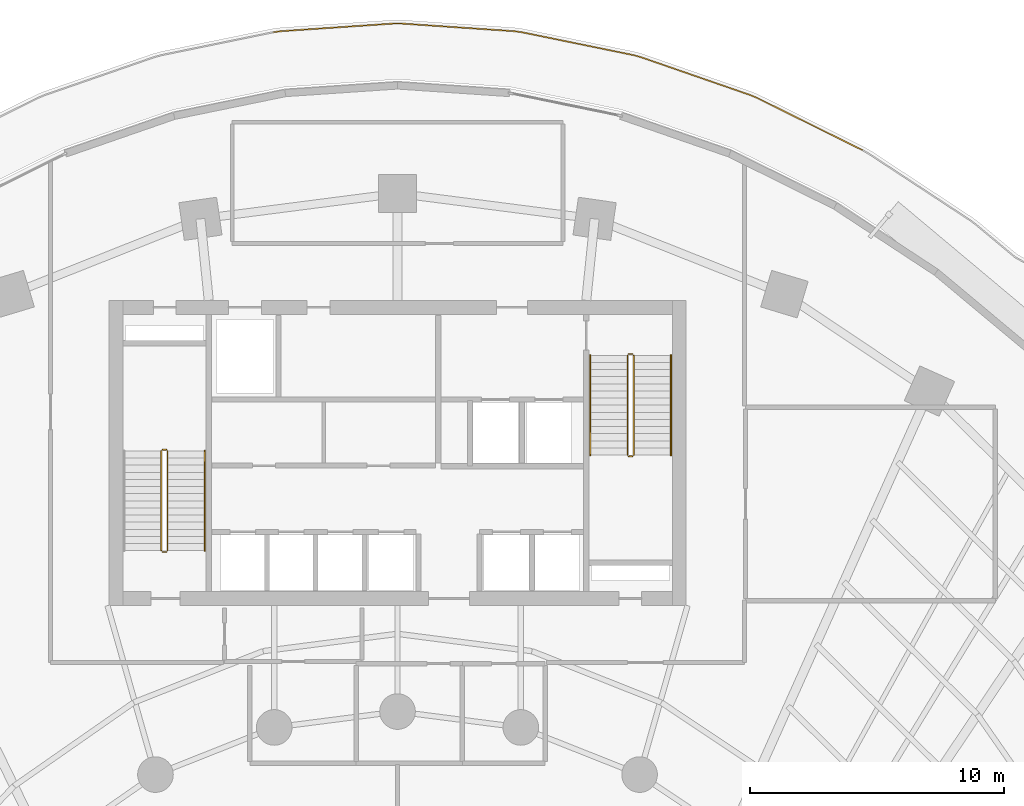
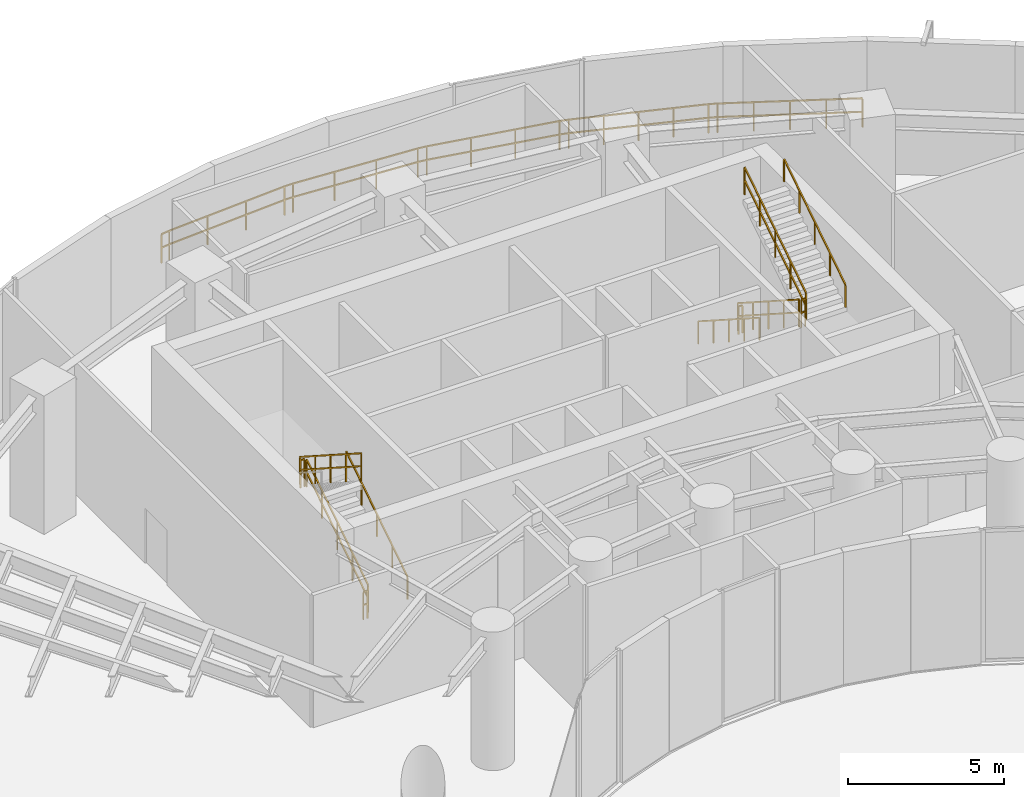
# One storey, part 16 of 17: 12 railings.
"""IFC4 building model written with IfcOpenShell, lengths in metres."""

from ifc_helpers import new_model, si_unit, direction, frame, origin, origin_2d, place, context, subcontext, project, spatial, rectangle, extrude, material, type_object, element, save


model = new_model("IFC4")

# Units and contexts
model_context = context("Model", 3, precision=1e-05, world=origin(), true_north=direction((0.0, 1.0)))
body_context = subcontext(model_context, "Body", "Model", "MODEL_VIEW")
ifc_project = project(units=[si_unit("LENGTHUNIT", "METRE"), si_unit("AREAUNIT", "SQUARE_METRE"), si_unit("VOLUMEUNIT", "CUBIC_METRE"), si_unit("PLANEANGLEUNIT", "RADIAN"), si_unit("MASSUNIT", "GRAM", prefix="KILO")], contexts=[model_context])

# Site, building, storey
site_placement = place(None, origin())
site = spatial("IfcSite", under=ifc_project, at=site_placement, CompositionType="ELEMENT")
building_placement = place(site_placement, origin())
building = spatial("IfcBuilding", under=site, at=building_placement, Name="Breltana Convention Tower", CompositionType="ELEMENT")
storey_placement = place(building_placement, frame((0.0, 0.0, 30.0)))
storey = spatial("IfcBuildingStorey", under=building, at=storey_placement, Name="L05", CompositionType="ELEMENT", Elevation=30.0)

# Railings
ifc_material_1 = material(Name="Stainless Steel 316L", Category="steel")
railing_type_1 = type_object("IfcRailingType", Name="RL-BALUSTRADE-1150", PredefinedType="BALUSTRADE", material=ifc_material_1)
railing_1_placement = place(storey_placement, frame((43.10498046875, 82.73779296875, 0.0)))
element("IfcRailing", 1, at=railing_1_placement, inside=storey, type_object=railing_type_1, Name="L05 perimeter balustrade 6", PredefinedType="BALUSTRADE", context=body_context, shape_type="SweptSolid", body=[
    extrude(rectangle(XDim=0.048095703125, YDim=0.048095703125, at=origin_2d()), frame((0.0, 0.0, 1.1259765625), z_axis=(0.990863345955, 0.134869676515, 0.0), x_axis=(-0.134869676515, 0.990863345955, 0.0)), (0.0, 0.0, 1.0), 0.313232421875),
    extrude(rectangle(XDim=0.048095703125, YDim=0.048095703125, at=origin_2d()), frame((0.0, 0.0, 0.597900390625), z_axis=(0.990863345955, 0.134869676515, 0.0), x_axis=(-0.134869676515, 0.990863345955, 0.0)), (0.0, 0.0, 1.0), 0.313232421875),
    extrude(rectangle(XDim=0.048095703125, YDim=0.048095703125, at=origin_2d()), frame((0.310302734375, 0.042236328125, 1.1259765625), z_axis=(0.997703593303, 0.067731380541, 0.0), x_axis=(-0.067731380541, 0.997703593303, 0.0)), (0.0, 0.0, 1.0), 4.437255859375),
    extrude(rectangle(XDim=0.048095703125, YDim=0.048095703125, at=origin_2d()), frame((0.310302734375, 0.042236328125, 0.597900390625), z_axis=(0.997703593303, 0.067731380541, 0.0), x_axis=(-0.067731380541, 0.997703593303, 0.0)), (0.0, 0.0, 1.0), 4.437255859375),
    extrude(rectangle(XDim=0.048095703125, YDim=0.048095703125, at=origin_2d()), frame((4.7373046875, 0.3427734375, 1.1259765625), z_axis=(1.0, 0.0, 0.0), x_axis=(0.0, 1.0, 0.0)), (0.0, 0.0, 1.0), 0.3154296875),
    extrude(rectangle(XDim=0.048095703125, YDim=0.048095703125, at=origin_2d()), frame((4.7373046875, 0.3427734375, 0.597900390625), z_axis=(1.0, 0.0, 0.0), x_axis=(0.0, 1.0, 0.0)), (0.0, 0.0, 1.0), 0.3154296875),
    extrude(rectangle(XDim=0.048095703125, YDim=0.048095703125, at=origin_2d()), frame((5.052734375, 0.3427734375, 1.1259765625), z_axis=(0.997703593303, -0.067731380541, 0.0), x_axis=(0.067731380541, 0.997703593303, 0.0)), (0.0, 0.0, 1.0), 4.437255859375),
    extrude(rectangle(XDim=0.048095703125, YDim=0.048095703125, at=origin_2d()), frame((5.052734375, 0.3427734375, 0.597900390625), z_axis=(0.997703593303, -0.067731380541, 0.0), x_axis=(0.067731380541, 0.997703593303, 0.0)), (0.0, 0.0, 1.0), 4.437255859375),
    extrude(rectangle(XDim=0.048095703125, YDim=0.048095703125, at=origin_2d()), frame((9.479736328125, 0.042236328125, 1.1259765625), z_axis=(0.990863345955, -0.134869676515, 0.0), x_axis=(0.134869676515, 0.990863345955, 0.0)), (0.0, 0.0, 1.0), 0.313232421875),
    extrude(rectangle(XDim=0.048095703125, YDim=0.048095703125, at=origin_2d()), frame((9.479736328125, 0.042236328125, 0.597900390625), z_axis=(0.990863345955, -0.134869676515, 0.0), x_axis=(0.134869676515, 0.990863345955, 0.0)), (0.0, 0.0, 1.0), 0.313232421875),
    extrude(rectangle(XDim=0.048095703125, YDim=0.048095703125, at=origin_2d()), frame((9.7900390625, 0.0, 1.1259765625), z_axis=(0.979620328093, -0.200858190739, 0.0), x_axis=(0.200858190739, 0.979620328093, 0.0)), (0.0, 0.0, 1.0), 4.472900390625),
    extrude(rectangle(XDim=0.048095703125, YDim=0.048095703125, at=origin_2d()), frame((9.7900390625, 0.0, 0.597900390625), z_axis=(0.979620328093, -0.200858190739, 0.0), x_axis=(0.200858190739, 0.979620328093, 0.0)), (0.0, 0.0, 1.0), 4.472900390625),
    extrude(rectangle(XDim=0.048095703125, YDim=0.048095703125, at=origin_2d()), frame((14.171875, -0.8984375, 1.1259765625), z_axis=(0.964246196663, -0.265008060672, 0.0), x_axis=(0.265008060672, 0.964246196663, 0.0)), (0.0, 0.0, 1.0), 0.305908203125),
    extrude(rectangle(XDim=0.048095703125, YDim=0.048095703125, at=origin_2d()), frame((14.171875, -0.8984375, 0.597900390625), z_axis=(0.964246196663, -0.265008060672, 0.0), x_axis=(0.265008060672, 0.964246196663, 0.0)), (0.0, 0.0, 1.0), 0.305908203125),
    extrude(rectangle(XDim=0.048095703125, YDim=0.048095703125, at=origin_2d()), frame((14.466796875, -0.9794921875, 1.1259765625), z_axis=(0.94487611165, -0.327428058713, 0.0), x_axis=(0.327428058713, 0.94487611165, 0.0)), (0.0, 0.0, 1.0), 4.54248046875),
    extrude(rectangle(XDim=0.048095703125, YDim=0.048095703125, at=origin_2d()), frame((14.466796875, -0.9794921875, 0.597900390625), z_axis=(0.94487611165, -0.327428058713, 0.0), x_axis=(0.327428058713, 0.94487611165, 0.0)), (0.0, 0.0, 1.0), 4.54248046875),
    extrude(rectangle(XDim=0.048095703125, YDim=0.048095703125, at=origin_2d()), frame((18.7587890625, -2.466796875, 1.1259765625), z_axis=(0.922118112773, -0.386908498351, 0.0), x_axis=(0.386908498351, 0.922118112773, 0.0)), (0.0, 0.0, 1.0), 0.294677734375),
    extrude(rectangle(XDim=0.048095703125, YDim=0.048095703125, at=origin_2d()), frame((18.7587890625, -2.466796875, 0.597900390625), z_axis=(0.922118112773, -0.386908498351, 0.0), x_axis=(0.386908498351, 0.922118112773, 0.0)), (0.0, 0.0, 1.0), 0.294677734375),
    extrude(rectangle(XDim=0.048095703125, YDim=0.048095703125, at=origin_2d()), frame((19.030517578125, -2.580810546875, 1.1259765625), z_axis=(0.895968339256, -0.444117929216, 0.0), x_axis=(0.444117929216, 0.895968339256, 0.0)), (0.0, 0.0, 1.0), 4.641357421875),
    extrude(rectangle(XDim=0.048095703125, YDim=0.048095703125, at=origin_2d()), frame((19.030517578125, -2.580810546875, 0.597900390625), z_axis=(0.895968339256, -0.444117929216, 0.0), x_axis=(0.444117929216, 0.895968339256, 0.0)), (0.0, 0.0, 1.0), 4.641357421875),
    extrude(rectangle(XDim=0.0419921875, YDim=0.0419921875, at=origin_2d()), origin(), (0.0, 0.0, 1.0), 1.101806640625),
    extrude(rectangle(XDim=0.0419921875, YDim=0.0419921875, at=origin_2d()), frame((0.310302734375, 0.042236328125, 0.0)), (0.0, 0.0, 1.0), 1.101806640625),
    extrude(rectangle(XDim=0.0419921875, YDim=0.0419921875, at=origin_2d()), frame((1.785888671875, 0.142333984375, 0.0)), (0.0, 0.0, 1.0), 1.101806640625),
    extrude(rectangle(XDim=0.0419921875, YDim=0.0419921875, at=origin_2d()), frame((3.26171875, 0.24267578125, 0.0)), (0.0, 0.0, 1.0), 1.101806640625),
    extrude(rectangle(XDim=0.0419921875, YDim=0.0419921875, at=origin_2d()), frame((4.7373046875, 0.3427734375, 0.0)), (0.0, 0.0, 1.0), 1.101806640625),
    extrude(rectangle(XDim=0.0419921875, YDim=0.0419921875, at=origin_2d()), frame((5.052734375, 0.3427734375, 0.0)), (0.0, 0.0, 1.0), 1.101806640625),
    extrude(rectangle(XDim=0.0419921875, YDim=0.0419921875, at=origin_2d()), frame((6.5283203125, 0.24267578125, 0.0)), (0.0, 0.0, 1.0), 1.101806640625),
    extrude(rectangle(XDim=0.0419921875, YDim=0.0419921875, at=origin_2d()), frame((8.004150390625, 0.142333984375, 0.0)), (0.0, 0.0, 1.0), 1.101806640625),
    extrude(rectangle(XDim=0.0419921875, YDim=0.0419921875, at=origin_2d()), frame((9.479736328125, 0.042236328125, 0.0)), (0.0, 0.0, 1.0), 1.101806640625),
    extrude(rectangle(XDim=0.0419921875, YDim=0.0419921875, at=origin_2d()), frame((9.7900390625, 0.0, 0.0)), (0.0, 0.0, 1.0), 1.101806640625),
    extrude(rectangle(XDim=0.0419921875, YDim=0.0419921875, at=origin_2d()), frame((11.250732421875, -0.299560546875, 0.0)), (0.0, 0.0, 1.0), 1.101806640625),
    extrude(rectangle(XDim=0.0419921875, YDim=0.0419921875, at=origin_2d()), frame((12.711181640625, -0.598876953125, 0.0)), (0.0, 0.0, 1.0), 1.101806640625),
    extrude(rectangle(XDim=0.0419921875, YDim=0.0419921875, at=origin_2d()), frame((14.171875, -0.8984375, 0.0)), (0.0, 0.0, 1.0), 1.101806640625),
    extrude(rectangle(XDim=0.0419921875, YDim=0.0419921875, at=origin_2d()), frame((14.466796875, -0.9794921875, 0.0)), (0.0, 0.0, 1.0), 1.101806640625),
    extrude(rectangle(XDim=0.0419921875, YDim=0.0419921875, at=origin_2d()), frame((15.539794921875, -1.351318359375, 0.0)), (0.0, 0.0, 1.0), 1.101806640625),
    extrude(rectangle(XDim=0.0419921875, YDim=0.0419921875, at=origin_2d()), frame((16.61279296875, -1.72314453125, 0.0)), (0.0, 0.0, 1.0), 1.101806640625),
    extrude(rectangle(XDim=0.0419921875, YDim=0.0419921875, at=origin_2d()), frame((17.685791015625, -2.094970703125, 0.0)), (0.0, 0.0, 1.0), 1.101806640625),
    extrude(rectangle(XDim=0.0419921875, YDim=0.0419921875, at=origin_2d()), frame((18.7587890625, -2.466796875, 0.0)), (0.0, 0.0, 1.0), 1.101806640625),
    extrude(rectangle(XDim=0.0419921875, YDim=0.0419921875, at=origin_2d()), frame((19.030517578125, -2.580810546875, 0.0)), (0.0, 0.0, 1.0), 1.101806640625),
    extrude(rectangle(XDim=0.0419921875, YDim=0.0419921875, at=origin_2d()), frame((20.070068359375, -3.09619140625, 0.0)), (0.0, 0.0, 1.0), 1.101806640625),
    extrude(rectangle(XDim=0.0419921875, YDim=0.0419921875, at=origin_2d()), frame((21.10986328125, -3.611328125, 0.0)), (0.0, 0.0, 1.0), 1.101806640625),
    extrude(rectangle(XDim=0.0419921875, YDim=0.0419921875, at=origin_2d()), frame((22.1494140625, -4.126708984375, 0.0)), (0.0, 0.0, 1.0), 1.101806640625),
    extrude(rectangle(XDim=0.0419921875, YDim=0.0419921875, at=origin_2d()), frame((23.18896484375, -4.64208984375, 0.0)), (0.0, 0.0, 1.0), 1.101806640625),
])
ifc_material_2 = material(Name="Steel S275 Painted", Category="steel")
railing_type_2 = type_object("IfcRailingType", Name="RL-STAIR-GUARD-1100", PredefinedType="GUARDRAIL", material=ifc_material_2)
railing_2_placement = place(storey_placement, frame((38.9599609375, 62.360107421875, 0.179931640625)))
element("IfcRailing", 2, at=railing_2_placement, inside=storey, type_object=railing_type_2, Name="L05 ST-1 stair guard 1", PredefinedType="GUARDRAIL", context=body_context, shape_type="SweptSolid", body=[
    extrude(rectangle(XDim=0.048095703125, YDim=0.048095703125, at=origin_2d()), frame((0.0, 0.0, 1.076171875), z_axis=(0.0, 0.841171666519, 0.540768182723), x_axis=(-1.0, 0.0, 0.0)), (0.0, 0.0, 1.0), 4.66015625),
    extrude(rectangle(XDim=0.048095703125, YDim=0.048095703125, at=origin_2d()), frame((0.0, 0.0, 0.572021484375), z_axis=(0.0, 0.841171666519, 0.540768182723), x_axis=(-1.0, 0.0, 0.0)), (0.0, 0.0, 1.0), 4.66015625),
    extrude(rectangle(XDim=0.0419921875, YDim=0.0419921875, at=origin_2d()), origin(), (0.0, 0.0, 1.0), 1.052001953125),
    extrude(rectangle(XDim=0.0419921875, YDim=0.0419921875, at=origin_2d()), frame((0.0, 0.97998046875, 0.6298828125)), (0.0, 0.0, 1.0), 1.052001953125),
    extrude(rectangle(XDim=0.0419921875, YDim=0.0419921875, at=origin_2d()), frame((0.0, 1.9599609375, 1.260009765625)), (0.0, 0.0, 1.0), 1.052001953125),
    extrude(rectangle(XDim=0.0419921875, YDim=0.0419921875, at=origin_2d()), frame((0.0, 2.93994140625, 1.89013671875)), (0.0, 0.0, 1.0), 1.052001953125),
    extrude(rectangle(XDim=0.0419921875, YDim=0.0419921875, at=origin_2d()), frame((0.0, 3.919921875, 2.52001953125)), (0.0, 0.0, 1.0), 1.052001953125),
])
railing_3_placement = place(storey_placement, frame((38.909912109375, 66.330078125, 2.699951171875)))
element("IfcRailing", 3, at=railing_3_placement, inside=storey, type_object=railing_type_2, Name="L05 ST-1 stair guard 2", PredefinedType="GUARDRAIL", context=body_context, shape_type="SweptSolid", body=[
    extrude(rectangle(XDim=0.048095703125, YDim=0.048095703125, at=origin_2d()), frame((0.0, 0.0, 1.076171875), z_axis=(-1.0, 0.0, 0.0), x_axis=(0.0, -1.0, 0.0)), (0.0, 0.0, 1.0), 0.14990234375),
    extrude(rectangle(XDim=0.048095703125, YDim=0.048095703125, at=origin_2d()), frame((0.0, 0.0, 0.572021484375), z_axis=(-1.0, 0.0, 0.0), x_axis=(0.0, -1.0, 0.0)), (0.0, 0.0, 1.0), 0.14990234375),
    extrude(rectangle(XDim=0.0419921875, YDim=0.0419921875, at=origin_2d()), origin(), (0.0, 0.0, 1.0), 1.052001953125),
    extrude(rectangle(XDim=0.0419921875, YDim=0.0419921875, at=origin_2d()), frame((-0.14990234375, 0.0, 0.0)), (0.0, 0.0, 1.0), 1.052001953125),
])
railing_4_placement = place(storey_placement, frame((38.7099609375, 66.280029296875, 2.8798828125)))
element("IfcRailing", 4, at=railing_4_placement, inside=storey, type_object=railing_type_2, Name="L05 ST-1 stair guard 3", PredefinedType="GUARDRAIL", context=body_context, shape_type="SweptSolid", body=[
    extrude(rectangle(XDim=0.048095703125, YDim=0.048095703125, at=origin_2d()), frame((0.0, 0.0, 1.076171875), z_axis=(0.0, -0.841171666519, 0.540768182723), x_axis=(1.0, 0.0, 0.0)), (0.0, 0.0, 1.0), 4.66015625),
    extrude(rectangle(XDim=0.048095703125, YDim=0.048095703125, at=origin_2d()), frame((0.0, 0.0, 0.572021484375), z_axis=(0.0, -0.841171666519, 0.540768182723), x_axis=(1.0, 0.0, 0.0)), (0.0, 0.0, 1.0), 4.66015625),
    extrude(rectangle(XDim=0.0419921875, YDim=0.0419921875, at=origin_2d()), origin(), (0.0, 0.0, 1.0), 1.052001953125),
    extrude(rectangle(XDim=0.0419921875, YDim=0.0419921875, at=origin_2d()), frame((0.0, -0.97998046875, 0.6298828125)), (0.0, 0.0, 1.0), 1.052001953125),
    extrude(rectangle(XDim=0.0419921875, YDim=0.0419921875, at=origin_2d()), frame((0.0, -1.9599609375, 1.260009765625)), (0.0, 0.0, 1.0), 1.052001953125),
    extrude(rectangle(XDim=0.0419921875, YDim=0.0419921875, at=origin_2d()), frame((0.0, -2.93994140625, 1.89013671875)), (0.0, 0.0, 1.0), 1.052001953125),
    extrude(rectangle(XDim=0.0419921875, YDim=0.0419921875, at=origin_2d()), frame((0.0, -3.919921875, 2.52001953125)), (0.0, 0.0, 1.0), 1.052001953125),
])
railing_5_placement = place(storey_placement, frame((38.909912109375, 62.31005859375, 0.0)))
element("IfcRailing", 5, at=railing_5_placement, inside=storey, type_object=railing_type_2, Name="L05 ST-1 stair guard 4", PredefinedType="GUARDRAIL", context=body_context, shape_type="SweptSolid", body=[
    extrude(rectangle(XDim=0.048095703125, YDim=0.048095703125, at=origin_2d()), frame((0.0, 0.0, 1.076171875), z_axis=(-1.0, 0.0, 0.0), x_axis=(0.0, -1.0, 0.0)), (0.0, 0.0, 1.0), 0.14990234375),
    extrude(rectangle(XDim=0.048095703125, YDim=0.048095703125, at=origin_2d()), frame((0.0, 0.0, 0.572021484375), z_axis=(-1.0, 0.0, 0.0), x_axis=(0.0, -1.0, 0.0)), (0.0, 0.0, 1.0), 0.14990234375),
    extrude(rectangle(XDim=0.0419921875, YDim=0.0419921875, at=origin_2d()), origin(), (0.0, 0.0, 1.0), 1.052001953125),
    extrude(rectangle(XDim=0.0419921875, YDim=0.0419921875, at=origin_2d()), frame((-0.14990234375, 0.0, 0.0)), (0.0, 0.0, 1.0), 1.052001953125),
])
railing_6_placement = place(storey_placement, frame((57.0400390625, 70.0400390625, 0.179931640625)))
element("IfcRailing", 6, at=railing_6_placement, inside=storey, type_object=railing_type_2, Name="L05 ST-2 stair guard 1", PredefinedType="GUARDRAIL", context=body_context, shape_type="SweptSolid", body=[
    extrude(rectangle(XDim=0.048095703125, YDim=0.048095703125, at=origin_2d()), frame((0.0, 0.0, 1.076171875), z_axis=(0.0, -0.841171666519, 0.540768182723), x_axis=(1.0, 0.0, 0.0)), (0.0, 0.0, 1.0), 4.66015625),
    extrude(rectangle(XDim=0.048095703125, YDim=0.048095703125, at=origin_2d()), frame((0.0, 0.0, 0.572021484375), z_axis=(0.0, -0.841171666519, 0.540768182723), x_axis=(1.0, 0.0, 0.0)), (0.0, 0.0, 1.0), 4.66015625),
    extrude(rectangle(XDim=0.0419921875, YDim=0.0419921875, at=origin_2d()), origin(), (0.0, 0.0, 1.0), 1.052001953125),
    extrude(rectangle(XDim=0.0419921875, YDim=0.0419921875, at=origin_2d()), frame((0.0, -0.97998046875, 0.6298828125)), (0.0, 0.0, 1.0), 1.052001953125),
    extrude(rectangle(XDim=0.0419921875, YDim=0.0419921875, at=origin_2d()), frame((0.0, -1.9599609375, 1.260009765625)), (0.0, 0.0, 1.0), 1.052001953125),
    extrude(rectangle(XDim=0.0419921875, YDim=0.0419921875, at=origin_2d()), frame((0.0, -2.93994140625, 1.89013671875)), (0.0, 0.0, 1.0), 1.052001953125),
    extrude(rectangle(XDim=0.0419921875, YDim=0.0419921875, at=origin_2d()), frame((0.0, -3.919921875, 2.52001953125)), (0.0, 0.0, 1.0), 1.052001953125),
])
railing_7_placement = place(storey_placement, frame((57.090087890625, 66.070068359375, 2.699951171875)))
element("IfcRailing", 7, at=railing_7_placement, inside=storey, type_object=railing_type_2, Name="L05 ST-2 stair guard 2", PredefinedType="GUARDRAIL", context=body_context, shape_type="SweptSolid", body=[
    extrude(rectangle(XDim=0.048095703125, YDim=0.048095703125, at=origin_2d()), frame((0.0, 0.0, 1.076171875), z_axis=(1.0, 0.0, 0.0), x_axis=(0.0, 1.0, 0.0)), (0.0, 0.0, 1.0), 0.14990234375),
    extrude(rectangle(XDim=0.048095703125, YDim=0.048095703125, at=origin_2d()), frame((0.0, 0.0, 0.572021484375), z_axis=(1.0, 0.0, 0.0), x_axis=(0.0, 1.0, 0.0)), (0.0, 0.0, 1.0), 0.14990234375),
    extrude(rectangle(XDim=0.0419921875, YDim=0.0419921875, at=origin_2d()), origin(), (0.0, 0.0, 1.0), 1.052001953125),
    extrude(rectangle(XDim=0.0419921875, YDim=0.0419921875, at=origin_2d()), frame((0.14990234375, 0.0, 0.0)), (0.0, 0.0, 1.0), 1.052001953125),
])
railing_8_placement = place(storey_placement, frame((57.2900390625, 66.1201171875, 2.8798828125)))
element("IfcRailing", 8, at=railing_8_placement, inside=storey, type_object=railing_type_2, Name="L05 ST-2 stair guard 3", PredefinedType="GUARDRAIL", context=body_context, shape_type="SweptSolid", body=[
    extrude(rectangle(XDim=0.048095703125, YDim=0.048095703125, at=origin_2d()), frame((0.0, 0.0, 1.076171875), z_axis=(0.0, 0.841171666519, 0.540768182723), x_axis=(-1.0, 0.0, 0.0)), (0.0, 0.0, 1.0), 4.66015625),
    extrude(rectangle(XDim=0.048095703125, YDim=0.048095703125, at=origin_2d()), frame((0.0, 0.0, 0.572021484375), z_axis=(0.0, 0.841171666519, 0.540768182723), x_axis=(-1.0, 0.0, 0.0)), (0.0, 0.0, 1.0), 4.66015625),
    extrude(rectangle(XDim=0.0419921875, YDim=0.0419921875, at=origin_2d()), origin(), (0.0, 0.0, 1.0), 1.052001953125),
    extrude(rectangle(XDim=0.0419921875, YDim=0.0419921875, at=origin_2d()), frame((0.0, 0.97998046875, 0.6298828125)), (0.0, 0.0, 1.0), 1.052001953125),
    extrude(rectangle(XDim=0.0419921875, YDim=0.0419921875, at=origin_2d()), frame((0.0, 1.9599609375, 1.260009765625)), (0.0, 0.0, 1.0), 1.052001953125),
    extrude(rectangle(XDim=0.0419921875, YDim=0.0419921875, at=origin_2d()), frame((0.0, 2.93994140625, 1.89013671875)), (0.0, 0.0, 1.0), 1.052001953125),
    extrude(rectangle(XDim=0.0419921875, YDim=0.0419921875, at=origin_2d()), frame((0.0, 3.919921875, 2.52001953125)), (0.0, 0.0, 1.0), 1.052001953125),
])
railing_9_placement = place(storey_placement, frame((57.090087890625, 70.090087890625, 0.0)))
element("IfcRailing", 9, at=railing_9_placement, inside=storey, type_object=railing_type_2, Name="L05 ST-2 stair guard 4", PredefinedType="GUARDRAIL", context=body_context, shape_type="SweptSolid", body=[
    extrude(rectangle(XDim=0.048095703125, YDim=0.048095703125, at=origin_2d()), frame((0.0, 0.0, 1.076171875), z_axis=(1.0, 0.0, 0.0), x_axis=(0.0, 1.0, 0.0)), (0.0, 0.0, 1.0), 0.14990234375),
    extrude(rectangle(XDim=0.048095703125, YDim=0.048095703125, at=origin_2d()), frame((0.0, 0.0, 0.572021484375), z_axis=(1.0, 0.0, 0.0), x_axis=(0.0, 1.0, 0.0)), (0.0, 0.0, 1.0), 0.14990234375),
    extrude(rectangle(XDim=0.0419921875, YDim=0.0419921875, at=origin_2d()), origin(), (0.0, 0.0, 1.0), 1.052001953125),
    extrude(rectangle(XDim=0.0419921875, YDim=0.0419921875, at=origin_2d()), frame((0.14990234375, 0.0, 0.0)), (0.0, 0.0, 1.0), 1.052001953125),
])
railing_type_3 = type_object("IfcRailingType", Name="RL-STAIR-HANDRAIL-900", PredefinedType="HANDRAIL", material=ifc_material_1)
railing_10_placement = place(storey_placement, frame((40.419921875, 62.360107421875, 0.179931640625)))
element("IfcRailing", 10, at=railing_10_placement, inside=storey, type_object=railing_type_3, Name="L05 ST-1 stair handrail 1", PredefinedType="HANDRAIL", context=body_context, shape_type="SweptSolid", body=[
    extrude(rectangle(XDim=0.048095703125, YDim=0.048095703125, at=origin_2d()), frame((0.0, 0.0, 0.8759765625), z_axis=(0.0, 0.841171666519, 0.540768182723), x_axis=(-1.0, 0.0, 0.0)), (0.0, 0.0, 1.0), 4.66015625),
    extrude(rectangle(XDim=0.0419921875, YDim=0.0419921875, at=origin_2d()), origin(), (0.0, 0.0, 1.0), 0.851806640625),
    extrude(rectangle(XDim=0.0419921875, YDim=0.0419921875, at=origin_2d()), frame((0.0, 0.97998046875, 0.6298828125)), (0.0, 0.0, 1.0), 0.851806640625),
    extrude(rectangle(XDim=0.0419921875, YDim=0.0419921875, at=origin_2d()), frame((0.0, 1.9599609375, 1.260009765625)), (0.0, 0.0, 1.0), 0.851806640625),
    extrude(rectangle(XDim=0.0419921875, YDim=0.0419921875, at=origin_2d()), frame((0.0, 2.93994140625, 1.89013671875)), (0.0, 0.0, 1.0), 0.851806640625),
    extrude(rectangle(XDim=0.0419921875, YDim=0.0419921875, at=origin_2d()), frame((0.0, 3.919921875, 2.52001953125)), (0.0, 0.0, 1.0), 0.851806640625),
])
railing_11_placement = place(storey_placement, frame((55.580078125, 70.0400390625, 0.179931640625)))
element("IfcRailing", 11, at=railing_11_placement, inside=storey, type_object=railing_type_3, Name="L05 ST-2 stair handrail 1", PredefinedType="HANDRAIL", context=body_context, shape_type="SweptSolid", body=[
    extrude(rectangle(XDim=0.048095703125, YDim=0.048095703125, at=origin_2d()), frame((0.0, 0.0, 0.8759765625), z_axis=(0.0, -0.841171666519, 0.540768182723), x_axis=(1.0, 0.0, 0.0)), (0.0, 0.0, 1.0), 4.66015625),
    extrude(rectangle(XDim=0.0419921875, YDim=0.0419921875, at=origin_2d()), origin(), (0.0, 0.0, 1.0), 0.851806640625),
    extrude(rectangle(XDim=0.0419921875, YDim=0.0419921875, at=origin_2d()), frame((0.0, -0.97998046875, 0.6298828125)), (0.0, 0.0, 1.0), 0.851806640625),
    extrude(rectangle(XDim=0.0419921875, YDim=0.0419921875, at=origin_2d()), frame((0.0, -1.9599609375, 1.260009765625)), (0.0, 0.0, 1.0), 0.851806640625),
    extrude(rectangle(XDim=0.0419921875, YDim=0.0419921875, at=origin_2d()), frame((0.0, -2.93994140625, 1.89013671875)), (0.0, 0.0, 1.0), 0.851806640625),
    extrude(rectangle(XDim=0.0419921875, YDim=0.0419921875, at=origin_2d()), frame((0.0, -3.919921875, 2.52001953125)), (0.0, 0.0, 1.0), 0.851806640625),
])
railing_12_placement = place(storey_placement, frame((58.75, 66.1201171875, 2.8798828125)))
element("IfcRailing", 12, at=railing_12_placement, inside=storey, type_object=railing_type_3, Name="L05 ST-2 stair handrail 2", PredefinedType="HANDRAIL", context=body_context, shape_type="SweptSolid", body=[
    extrude(rectangle(XDim=0.048095703125, YDim=0.048095703125, at=origin_2d()), frame((0.0, 0.0, 0.8759765625), z_axis=(0.0, 0.841171666519, 0.540768182723), x_axis=(-1.0, 0.0, 0.0)), (0.0, 0.0, 1.0), 4.66015625),
    extrude(rectangle(XDim=0.0419921875, YDim=0.0419921875, at=origin_2d()), origin(), (0.0, 0.0, 1.0), 0.851806640625),
    extrude(rectangle(XDim=0.0419921875, YDim=0.0419921875, at=origin_2d()), frame((0.0, 0.97998046875, 0.6298828125)), (0.0, 0.0, 1.0), 0.851806640625),
    extrude(rectangle(XDim=0.0419921875, YDim=0.0419921875, at=origin_2d()), frame((0.0, 1.9599609375, 1.260009765625)), (0.0, 0.0, 1.0), 0.851806640625),
    extrude(rectangle(XDim=0.0419921875, YDim=0.0419921875, at=origin_2d()), frame((0.0, 2.93994140625, 1.89013671875)), (0.0, 0.0, 1.0), 0.851806640625),
    extrude(rectangle(XDim=0.0419921875, YDim=0.0419921875, at=origin_2d()), frame((0.0, 3.919921875, 2.52001953125)), (0.0, 0.0, 1.0), 0.851806640625),
])

save(model, "model.ifc")
